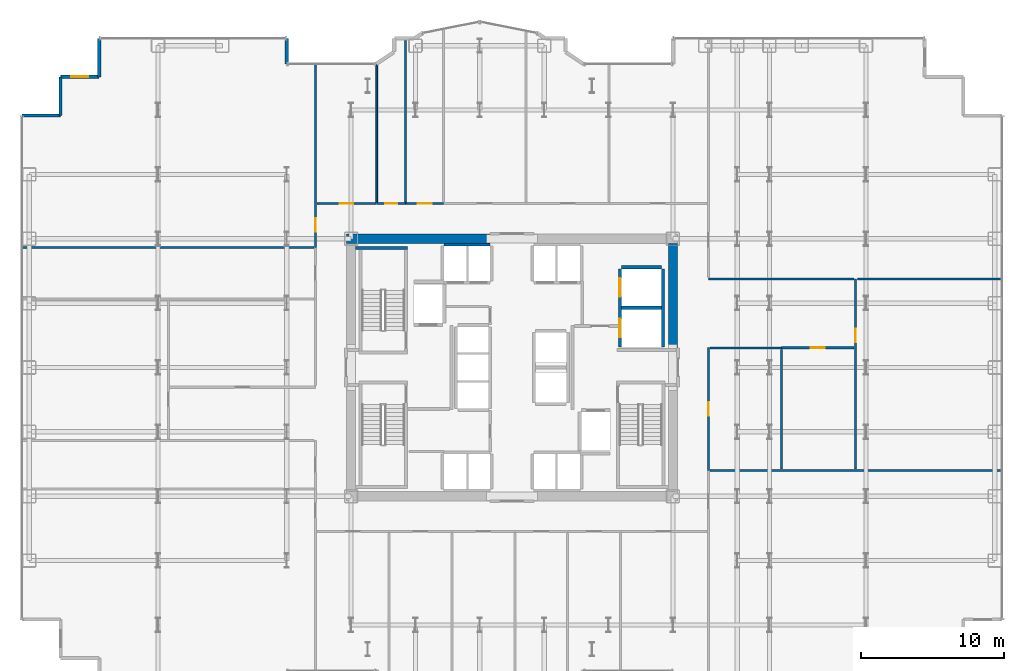
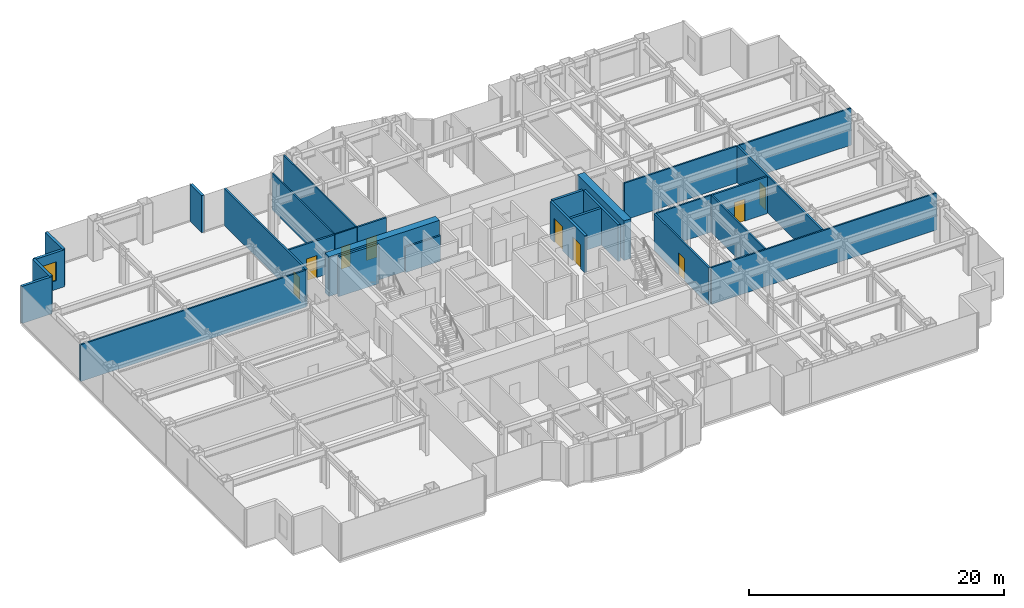
# One storey, part 23 of 25: 28 walls, 9 doors, 1 window, 10 openings.
"""IFC4 building model written with IfcOpenShell, lengths in metres."""

from ifc_helpers import new_model, si_unit, direction, frame, frame_2d, origin, place, context, subcontext, project, spatial, rectangle, extrude, source, transform, mapped, material, layer, layer_set, type_object, element, fill, save


model = new_model("IFC4")

# Units and contexts
model_context = context("Model", 3, precision=1e-05, world=origin(), true_north=direction((0.0, 1.0)))
body_context = subcontext(model_context, "Body", "Model", "MODEL_VIEW")
ifc_project = project(units=[si_unit("LENGTHUNIT", "METRE"), si_unit("AREAUNIT", "SQUARE_METRE"), si_unit("VOLUMEUNIT", "CUBIC_METRE"), si_unit("PLANEANGLEUNIT", "RADIAN"), si_unit("MASSUNIT", "GRAM", prefix="KILO")], contexts=[model_context])

# Site, building, storey
site_placement = place(None, origin())
site = spatial("IfcSite", under=ifc_project, at=site_placement, CompositionType="ELEMENT")
building_placement = place(site_placement, origin())
building = spatial("IfcBuilding", under=site, at=building_placement, Name="Nefas-Gora Pilgrimage Tower", CompositionType="ELEMENT")
storey_placement = place(building_placement, frame((0.0, 0.0, 52.0)))
storey = spatial("IfcBuildingStorey", under=building, at=storey_placement, Name="L11", CompositionType="ELEMENT", Elevation=52.0)

# Walls
ifc_material_1 = material(Name="Concrete C60/75", Category="concrete")
ifc_layer_1 = layer(ifc_material_1, 0.64990234375)
ifc_layer_set_1 = layer_set([ifc_layer_1], Name="Concrete C60/75")
wall_type_1 = type_object("IfcWallType", Name="SW-CORE-650", PredefinedType="SHEAR", material=ifc_layer_set_1)
shared_shape_1 = source(origin(), body_context, "Body", "SweptSolid", [
    extrude(rectangle(XDim=10.02490234375, YDim=0.64990234375, at=frame_2d((5.012451171875, 0.0))), origin(), (0.0, 0.0, 1.0), 3.800048828125),
])
wall_1_placement = place(storey_placement, frame((-11.574951171875, 9.0, 0.0), z_axis=(0.0, 0.0, 1.0), x_axis=(1.0, 0.0, 0.0)))
element("IfcWall", 1, at=wall_1_placement, inside=storey, type_object=wall_type_1, Name="L11 Core Shear Wall N-West", PredefinedType="SHEAR", context=body_context, shape_type="MappedRepresentation", body=[
    mapped(shared_shape_1, transform((0.0, 0.0, 0.0), x_axis=(1.0, 0.0, 0.0), y_axis=(0.0, 1.0, 0.0), z_axis=(0.0, 0.0, 1.0), scale=1.0)),
])
shared_shape_2 = source(origin(), body_context, "Body", "SweptSolid", [
    extrude(rectangle(XDim=7.324951171875, YDim=0.64990234375, at=frame_2d((3.66259765625, 0.0))), origin(), (0.0, 0.0, 1.0), 3.800048828125),
])
wall_2_placement = place(storey_placement, frame((11.25, 1.35009765625, 0.0), z_axis=(0.0, 0.0, 1.0), x_axis=(0.0, 1.0, 0.0)))
element("IfcWall", 2, at=wall_2_placement, inside=storey, type_object=wall_type_1, Name="L11 Core Shear Wall E-North", PredefinedType="SHEAR", context=body_context, shape_type="MappedRepresentation", body=[
    mapped(shared_shape_2, transform((0.0, 0.0, 0.0), x_axis=(1.0, 0.0, 0.0), y_axis=(0.0, 1.0, 0.0), z_axis=(0.0, 0.0, 1.0), scale=1.0)),
])
ifc_material_2 = material(Name="Precast concrete C40/50", Category="concrete")
ifc_layer_2 = layer(ifc_material_2, 0.260009765625)
ifc_layer_set_2 = layer_set([ifc_layer_2], Name="Precast concrete C40/50")
wall_type_2 = type_object("IfcWallType", Name="EW-PORTAL-260", PredefinedType="SOLIDWALL", material=ifc_layer_set_2)
shared_shape_3 = source(origin(), body_context, "Body", "SweptSolid", [
    extrude(rectangle(XDim=1.800048828125, YDim=0.260009765625, at=frame_2d((0.89990234375, 0.0))), origin(), (0.0, 0.0, 1.0), 3.550048828125),
])
wall_3_placement = place(storey_placement, frame((-15.75, 21.219970703125, 0.0), z_axis=(0.0, 0.0, 1.0), x_axis=(0.0, 1.0, 0.0)))
element("IfcWall", 3, at=wall_3_placement, inside=storey, type_object=wall_type_2, Name="L11 Lobe Shoulder Precast Spandrel Pier 19", PredefinedType="SOLIDWALL", context=body_context, shape_type="MappedRepresentation", body=[
    mapped(shared_shape_3, transform((0.0, 0.0, 0.0), x_axis=(1.0, 0.0, 0.0), y_axis=(0.0, 1.0, 0.0), z_axis=(0.0, 0.0, 1.0), scale=1.0)),
])
ifc_material_3 = material(Name="Precast concrete C45/55", Category="concrete")
ifc_layer_3 = layer(ifc_material_3, 0.239990234375)
ifc_layer_set_3 = layer_set([ifc_layer_3], Name="Precast concrete C45/55")
wall_type_3 = type_object("IfcWallType", Name="EW-SERR-240", PredefinedType="SHEAR", material=ifc_layer_set_3)
shared_shape_4 = source(origin(), body_context, "Body", "SweptSolid", [
    extrude(rectangle(XDim=2.699951171875, YDim=0.239990234375, at=frame_2d((1.35009765625, 0.0))), origin(), (0.0, 0.0, 1.0), 3.550048828125),
])
wall_4_placement = place(storey_placement, frame((-28.8701171875, 23.02001953125, 0.0), z_axis=(0.0, 0.0, 1.0), x_axis=(0.0, -1.0, 0.0)))
element("IfcWall", 4, at=wall_4_placement, inside=storey, type_object=wall_type_3, Name="L11 Serrated Corner Shear Pier Wall 20", PredefinedType="SHEAR", context=body_context, shape_type="MappedRepresentation", body=[
    mapped(shared_shape_4, transform((0.0, 0.0, 0.0), x_axis=(1.0, 0.0, 0.0), y_axis=(0.0, 1.0, 0.0), z_axis=(0.0, 0.0, 1.0), scale=1.0)),
])

# Wall, opening, window
wall_5_placement = place(storey_placement, frame((-28.8701171875, 20.320068359375, 0.0), z_axis=(0.0, 0.0, 1.0), x_axis=(-1.0, 0.0, 0.0)))
wall_5 = element("IfcWall", 5, at=wall_5_placement, inside=storey, type_object=wall_type_3, Name="L11 Serrated Corner Shear Pier Wall 21", PredefinedType="SHEAR", context=body_context, shape_type="MappedRepresentation", body=[
    mapped(shared_shape_4, transform((0.0, 0.0, 0.0), x_axis=(1.0, 0.0, 0.0), y_axis=(0.0, 1.0, 0.0), z_axis=(0.0, 0.0, 1.0), scale=1.0)),
])
opening_1_placement = place(wall_5_placement, frame((0.75, 0.0, 0.85009765625)))
opening_1 = element("IfcOpeningElement", 6, at=opening_1_placement, cuts=wall_5, Name="Opening W-V1", PredefinedType="OPENING", context=body_context, shape_type="SweptSolid", body=[
    extrude(rectangle(XDim=1.199951171875, YDim=1.800048828125, at=frame_2d((0.60009765625, 0.89990234375))), frame((0.0, 0.1298828125, 0.0), z_axis=(0.0, -1.0, 0.0), x_axis=(1.0, 0.0, 0.0)), (0.0, 0.0, 1.0), 0.260009765625),
])
ifc_material_4 = material(Name="Dark ceramic-fritted operable aluminium-glass window", Category="aluminium")
window_type = type_object("IfcWindowType", Name="WIN-VENT-1200x1800", PartitioningType="SINGLE_PANEL", PredefinedType="WINDOW", material=ifc_material_4)
shared_shape_5 = source(origin(), body_context, "Body", "SweptSolid", [
    extrude(rectangle(XDim=1.199951171875, YDim=1.800048828125, at=frame_2d((0.60009765625, 0.89990234375))), frame((0.0, 0.030029296875, 0.0), z_axis=(0.0, -1.0, 0.0), x_axis=(1.0, 0.0, 0.0)), (0.0, 0.0, 1.0), 0.06005859375),
])
window_placement = place(opening_1_placement, origin())
window = element("IfcWindow", 7, at=window_placement, inside=storey, type_object=window_type, Name="L11 Operable Parallel-Outswing Window 21", OverallHeight=1.800048828125, OverallWidth=1.199951171875, PartitioningType="SINGLE_PANEL", PredefinedType="WINDOW", context=body_context, shape_type="MappedRepresentation", body=[
    mapped(shared_shape_5, transform((0.0, 0.0, 0.0), x_axis=(1.0, 0.0, 0.0), y_axis=(0.0, 1.0, 0.0), z_axis=(0.0, 0.0, 1.0), scale=1.0)),
])
fill(opening_1, window)

# Walls
for number, where, z_axis, x_axis, name in (
    (8, (-31.570068359375, 20.320068359375, 0.0), (0.0, 0.0, 1.0), (0.0, -1.0, 0.0), "L11 Serrated Corner Shear Pier Wall 22"),
    (9, (-31.570068359375, 17.6201171875, 0.0), (0.0, 0.0, 1.0), (-1.0, 0.0, 0.0), "L11 Serrated Corner Shear Pier Wall 23"),
):
    element("IfcWall", number, at=place(storey_placement, frame(where, z_axis=z_axis, x_axis=x_axis)), inside=storey, type_object=wall_type_3, Name=name, PredefinedType="SHEAR", context=body_context, shape_type="MappedRepresentation", body=[
        mapped(shared_shape_4, transform((0.0, 0.0, 0.0), x_axis=(1.0, 0.0, 0.0), y_axis=(0.0, 1.0, 0.0), z_axis=(0.0, 0.0, 1.0), scale=1.0)),
    ])
ifc_material_5 = material(Name="Concrete C45/55", Category="concrete")
ifc_layer_4 = layer(ifc_material_5, 0.199951171875)
ifc_layer_set_4 = layer_set([ifc_layer_4], Name="Concrete C45/55")
wall_type_4 = type_object("IfcWallType", Name="IW-STAIR-200", PredefinedType="SOLIDWALL", material=ifc_layer_set_4)
shared_shape_6 = source(origin(), body_context, "Body", "SweptSolid", [
    extrude(rectangle(XDim=3.6298828125, YDim=0.199951171875, at=frame_2d((1.81494140625, 0.0))), origin(), (0.0, 0.0, 1.0), 3.800048828125),
])
wall_6_placement = place(storey_placement, frame((-7.300048828125, 8.35009765625, 0.0), z_axis=(0.0, 0.0, 1.0), x_axis=(-1.0, 0.0, 0.0)))
element("IfcWall", 10, at=wall_6_placement, inside=storey, type_object=wall_type_4, Name="L11 Stairwell Shear Wall ST-01-far", PredefinedType="SOLIDWALL", context=body_context, shape_type="MappedRepresentation", body=[
    mapped(shared_shape_6, transform((0.0, 0.0, 0.0), x_axis=(1.0, 0.0, 0.0), y_axis=(0.0, 1.0, 0.0), z_axis=(0.0, 0.0, 1.0), scale=1.0)),
])

# Wall, openings, doors
ifc_material_6 = material(Name="Concrete C40/50", Category="concrete")
ifc_layer_5 = layer(ifc_material_6, 0.219970703125)
ifc_layer_set_5 = layer_set([ifc_layer_5], Name="Concrete C40/50")
wall_type_5 = type_object("IfcWallType", Name="IW-SHAFT-220", PredefinedType="SOLIDWALL", material=ifc_layer_set_5)
shared_shape_7 = source(origin(), body_context, "Body", "SweptSolid", [
    extrude(rectangle(XDim=5.449951171875, YDim=0.219970703125, at=frame_2d((2.72509765625, 0.0))), origin(), (0.0, 0.0, 1.0), 3.534912109375),
])
wall_7_placement = place(storey_placement, frame((7.5400390625, 6.89990234375, 0.0), z_axis=(0.0, 0.0, 1.0), x_axis=(0.0, -1.0, 0.0)))
wall_7 = element("IfcWall", 11, at=wall_7_placement, inside=storey, type_object=wall_type_5, Name="L11 Hoistway Wall SL-01-02-W", PredefinedType="SOLIDWALL", context=body_context, shape_type="MappedRepresentation", body=[
    mapped(shared_shape_7, transform((0.0, 0.0, 0.0), x_axis=(1.0, 0.0, 0.0), y_axis=(0.0, 1.0, 0.0), z_axis=(0.0, 0.0, 1.0), scale=1.0)),
])
opening_2_placement = place(wall_7_placement, frame((3.5, 0.0, 0.0)))
opening_2 = element("IfcOpeningElement", 12, at=opening_2_placement, cuts=wall_7, Name="Opening LD-SV", PredefinedType="OPENING", context=body_context, shape_type="SweptSolid", body=[
    extrude(rectangle(XDim=1.300048828125, YDim=2.300048828125, at=frame_2d((0.64990234375, 1.14990234375))), frame((0.0, 0.119873046875, 0.0), z_axis=(0.0, -1.0, 0.0), x_axis=(1.0, 0.0, 0.0)), (0.0, 0.0, 1.0), 0.239990234375),
])
opening_3_placement = place(wall_7_placement, frame((0.64990234375, 0.0, 0.0)))
opening_3 = element("IfcOpeningElement", 13, at=opening_3_placement, cuts=wall_7, Name="Opening LD-SV", PredefinedType="OPENING", context=body_context, shape_type="SweptSolid", body=[
    extrude(rectangle(XDim=1.300048828125, YDim=2.300048828125, at=frame_2d((0.64990234375, 1.14990234375))), frame((0.0, 0.119873046875, 0.0), z_axis=(0.0, -1.0, 0.0), x_axis=(1.0, 0.0, 0.0)), (0.0, 0.0, 1.0), 0.239990234375),
])
ifc_material_7 = material(Name="Heavy goods sliding lift landing door")
door_type_1 = type_object("IfcDoorType", Name="DR-LIFT-SERV-1300", OperationType="SLIDING_TO_RIGHT", PredefinedType="DOOR", material=ifc_material_7)
shared_shape_8 = source(origin(), body_context, "Body", "SweptSolid", [
    extrude(rectangle(XDim=1.300048828125, YDim=2.300048828125, at=frame_2d((0.64990234375, 1.14990234375))), frame((0.0, 0.02490234375, 0.0), z_axis=(0.0, -1.0, 0.0), x_axis=(1.0, 0.0, 0.0)), (0.0, 0.0, 1.0), 0.050048828125),
])
door_1_placement = place(opening_2_placement, origin())
door_1 = element("IfcDoor", 14, at=door_1_placement, inside=storey, type_object=door_type_1, Name="L11 Sliding Lift Landing Door SL-01", OperationType="SLIDING_TO_RIGHT", OverallHeight=2.300048828125, OverallWidth=1.300048828125, PredefinedType="DOOR", context=body_context, shape_type="MappedRepresentation", body=[
    mapped(shared_shape_8, transform((0.0, 0.0, 0.0), x_axis=(1.0, 0.0, 0.0), y_axis=(0.0, 1.0, 0.0), z_axis=(0.0, 0.0, 1.0), scale=1.0)),
])
fill(opening_2, door_1)
door_2_placement = place(opening_3_placement, origin())
door_2 = element("IfcDoor", 15, at=door_2_placement, inside=storey, type_object=door_type_1, Name="L11 Sliding Lift Landing Door SL-02", OperationType="SLIDING_TO_RIGHT", OverallHeight=2.300048828125, OverallWidth=1.300048828125, PredefinedType="DOOR", context=body_context, shape_type="MappedRepresentation", body=[
    mapped(shared_shape_8, transform((0.0, 0.0, 0.0), x_axis=(1.0, 0.0, 0.0), y_axis=(0.0, 1.0, 0.0), z_axis=(0.0, 0.0, 1.0), scale=1.0)),
])
fill(opening_3, door_2)

# Walls
wall_8_placement = place(storey_placement, frame((10.56005859375, 1.449951171875, 0.0), z_axis=(0.0, 0.0, 1.0), x_axis=(0.0, 1.0, 0.0)))
element("IfcWall", 16, at=wall_8_placement, inside=storey, type_object=wall_type_5, Name="L11 Hoistway Wall SL-01-02-E", PredefinedType="SOLIDWALL", context=body_context, shape_type="MappedRepresentation", body=[
    mapped(shared_shape_7, transform((0.0, 0.0, 0.0), x_axis=(1.0, 0.0, 0.0), y_axis=(0.0, 1.0, 0.0), z_axis=(0.0, 0.0, 1.0), scale=1.0)),
])
shared_shape_9 = source(origin(), body_context, "Body", "SweptSolid", [
    extrude(rectangle(XDim=2.780029296875, YDim=0.219970703125, at=frame_2d((1.39013671875, 0.0))), origin(), (0.0, 0.0, 1.0), 3.534912109375),
])
for number, where, z_axis, x_axis, name in (
    (17, (7.659912109375, 4.175048828125, 0.0), (0.0, 0.0, 1.0), (1.0, 0.0, 0.0), "L11 Hoistway Wall SL-01-02-DIV"),
    (18, (10.43994140625, 7.010009765625, 0.0), (0.0, 0.0, 1.0), (-1.0, 0.0, 0.0), "L11 Hoistway Wall SL-02-N"),
):
    element("IfcWall", number, at=place(storey_placement, frame(where, z_axis=z_axis, x_axis=x_axis)), inside=storey, type_object=wall_type_5, Name=name, PredefinedType="SOLIDWALL", context=body_context, shape_type="MappedRepresentation", body=[
        mapped(shared_shape_9, transform((0.0, 0.0, 0.0), x_axis=(1.0, 0.0, 0.0), y_axis=(0.0, 1.0, 0.0), z_axis=(0.0, 0.0, 1.0), scale=1.0)),
    ])
ifc_material_8 = material(Name="Gypsum acoustic stud partition")
ifc_layer_6 = layer(ifc_material_8, 0.159912109375)
ifc_layer_set_6 = layer_set([ifc_layer_6], Name="Gypsum acoustic stud partition")
wall_type_6 = type_object("IfcWallType", Name="IW-CORR-160", PredefinedType="PARTITIONING", material=ifc_layer_set_6)
shared_shape_10 = source(origin(), body_context, "Body", "SweptSolid", [
    extrude(rectangle(XDim=3.199951171875, YDim=0.159912109375, at=frame_2d((1.60009765625, 0.0))), origin(), (0.0, 0.0, 1.0), 2.425048828125),
])
wall_9_placement = place(storey_placement, frame((-1.550048828125, 8.580078125, 0.0), z_axis=(0.0, 0.0, 1.0), x_axis=(-1.0, 0.0, 0.0)))
element("IfcWall", 19, at=wall_9_placement, inside=storey, type_object=wall_type_6, Name="L11 Hoistway Wall PL1-W-N", PredefinedType="PARTITIONING", context=body_context, shape_type="MappedRepresentation", body=[
    mapped(shared_shape_10, transform((0.0, 0.0, 0.0), x_axis=(1.0, 0.0, 0.0), y_axis=(0.0, 1.0, 0.0), z_axis=(0.0, 0.0, 1.0), scale=1.0)),
])

# Wall, opening, door
ifc_material_9 = material(Name="Moisture-resistant fire-rated gypsum partition")
ifc_layer_7 = layer(ifc_material_9, 0.1201171875)
ifc_layer_set_7 = layer_set([ifc_layer_7], Name="Moisture-resistant fire-rated gypsum partition")
wall_type_7 = type_object("IfcWallType", Name="IW-WET-120", PredefinedType="PLUMBINGWALL", material=ifc_layer_set_7)
shared_shape_11 = source(origin(), body_context, "Body", "SweptSolid", [
    extrude(rectangle(XDim=2.02001953125, YDim=0.1201171875, at=frame_2d((1.010009765625, 0.0))), origin(), (0.0, 0.0, 1.0), 3.534912109375),
])
wall_10_placement = place(storey_placement, frame((-9.4599609375, 11.469970703125, 0.0), z_axis=(0.0, 0.0, 1.0), x_axis=(1.0, 0.0, 0.0)))
wall_10 = element("IfcWall", 20, at=wall_10_placement, inside=storey, type_object=wall_type_7, Name="L11 Accessible Unisex WC Partition Wall 20", PredefinedType="PLUMBINGWALL", context=body_context, shape_type="MappedRepresentation", body=[
    mapped(shared_shape_11, transform((0.0, 0.0, 0.0), x_axis=(1.0, 0.0, 0.0), y_axis=(0.0, 1.0, 0.0), z_axis=(0.0, 0.0, 1.0), scale=1.0)),
])
opening_4_placement = place(wall_10_placement, frame((0.5849609375, 0.0, 0.0)))
opening_4 = element("IfcOpeningElement", 21, at=opening_4_placement, cuts=wall_10, Name="Opening ID-BT1", PredefinedType="OPENING", context=body_context, shape_type="SweptSolid", body=[
    extrude(rectangle(XDim=0.85009765625, YDim=2.10009765625, at=frame_2d((0.425048828125, 1.050048828125))), frame((0.0, 0.070068359375, 0.0), z_axis=(0.0, -1.0, 0.0), x_axis=(1.0, 0.0, 0.0)), (0.0, 0.0, 1.0), 0.14013671875),
])
ifc_material_10 = material(Name="Moisture-resistant fire-rated timber door", Category="wood")
door_type_2 = type_object("IfcDoorType", Name="DR-INT-BATH-850", OperationType="NOTDEFINED", PredefinedType="DOOR", material=ifc_material_10)
shared_shape_12 = source(origin(), body_context, "Body", "SweptSolid", [
    extrude(rectangle(XDim=0.85009765625, YDim=2.10009765625, at=frame_2d((0.425048828125, 1.050048828125))), frame((0.0, 0.02490234375, 0.0), z_axis=(0.0, -1.0, 0.0), x_axis=(1.0, 0.0, 0.0)), (0.0, 0.0, 1.0), 0.050048828125),
])
door_3_placement = place(opening_4_placement, origin())
door_3 = element("IfcDoor", 22, at=door_3_placement, inside=storey, type_object=door_type_2, Name="L11 Accessible Unisex WC Door 8", OperationType="SINGLE_SWING_LEFT", OverallHeight=2.10009765625, OverallWidth=0.85009765625, PredefinedType="DOOR", context=body_context, shape_type="MappedRepresentation", body=[
    mapped(shared_shape_12, transform((0.0, 0.0, 0.0), x_axis=(1.0, 0.0, 0.0), y_axis=(0.0, 1.0, 0.0), z_axis=(0.0, 0.0, 1.0), scale=1.0)),
])
fill(opening_4, door_3)

# Walls
shared_shape_13 = source(origin(), body_context, "Body", "SweptSolid", [
    extrude(rectangle(XDim=11.280029296875, YDim=0.1201171875, at=frame_2d((5.64013671875, 0.0))), origin(), (0.0, 0.0, 1.0), 3.534912109375),
])
wall_11_placement = place(storey_placement, frame((-7.449951171875, 11.570068359375, 0.0), z_axis=(0.0, 0.0, 1.0), x_axis=(0.0, 1.0, 0.0)))
element("IfcWall", 23, at=wall_11_placement, inside=storey, type_object=wall_type_7, Name="L11 Accessible Unisex WC Partition Wall 21", PredefinedType="PLUMBINGWALL", context=body_context, shape_type="MappedRepresentation", body=[
    mapped(shared_shape_13, transform((0.0, 0.0, 0.0), x_axis=(1.0, 0.0, 0.0), y_axis=(0.0, 1.0, 0.0), z_axis=(0.0, 0.0, 1.0), scale=1.0)),
])
shared_shape_14 = source(origin(), body_context, "Body", "SweptSolid", [
    extrude(rectangle(XDim=9.586669921875, YDim=0.1201171875, at=frame_2d((4.79345703125, 0.0))), origin(), (0.0, 0.0, 1.0), 3.534912109375),
])
wall_12_placement = place(storey_placement, frame((-9.449951171875, 11.570068359375, 0.0), z_axis=(0.0, 0.0, 1.0), x_axis=(0.0, 1.0, 0.0)))
element("IfcWall", 24, at=wall_12_placement, inside=storey, type_object=wall_type_7, Name="L11 Accessible Unisex WC Partition Wall 22", PredefinedType="PLUMBINGWALL", context=body_context, shape_type="MappedRepresentation", body=[
    mapped(shared_shape_14, transform((0.0, 0.0, 0.0), x_axis=(1.0, 0.0, 0.0), y_axis=(0.0, 1.0, 0.0), z_axis=(0.0, 0.0, 1.0), scale=1.0)),
])

# Wall, opening, door
shared_shape_15 = source(origin(), body_context, "Body", "SweptSolid", [
    extrude(rectangle(XDim=4.125, YDim=0.159912109375, at=frame_2d((2.0625, 0.0))), origin(), (0.0, 0.0, 1.0), 3.534912109375),
])
wall_13_placement = place(storey_placement, frame((-13.6201171875, 11.469970703125, 0.0), z_axis=(0.0, 0.0, 1.0), x_axis=(1.0, 0.0, 0.0)))
wall_13 = element("IfcWall", 25, at=wall_13_placement, inside=storey, type_object=wall_type_6, Name="L11 Pilgrim Contemplative Lounge Partition Wall 44", PredefinedType="PARTITIONING", context=body_context, shape_type="MappedRepresentation", body=[
    mapped(shared_shape_15, transform((0.0, 0.0, 0.0), x_axis=(1.0, 0.0, 0.0), y_axis=(0.0, 1.0, 0.0), z_axis=(0.0, 0.0, 1.0), scale=1.0)),
])
opening_5_placement = place(wall_13_placement, frame((1.58740234375, 0.0, 0.0)))
opening_5 = element("IfcOpeningElement", 26, at=opening_5_placement, cuts=wall_13, Name="Opening ID-GR1", PredefinedType="OPENING", context=body_context, shape_type="SweptSolid", body=[
    extrude(rectangle(XDim=0.949951171875, YDim=2.10009765625, at=frame_2d((0.47509765625, 1.050048828125))), frame((0.0, 0.08984375, 0.0), z_axis=(0.0, -1.0, 0.0), x_axis=(1.0, 0.0, 0.0)), (0.0, 0.0, 1.0), 0.179931640625),
])
ifc_material_11 = material(Name="Solid core oak fire-rated guest entrance door")
door_type_3 = type_object("IfcDoorType", Name="DR-INT-GUEST-950", OperationType="NOTDEFINED", PredefinedType="DOOR", material=ifc_material_11)
shared_shape_16 = source(origin(), body_context, "Body", "SweptSolid", [
    extrude(rectangle(XDim=0.949951171875, YDim=2.10009765625, at=frame_2d((0.47509765625, 1.050048828125))), frame((0.0, 0.02490234375, 0.0), z_axis=(0.0, -1.0, 0.0), x_axis=(1.0, 0.0, 0.0)), (0.0, 0.0, 1.0), 0.050048828125),
])
door_4_placement = place(opening_5_placement, origin())
door_4 = element("IfcDoor", 27, at=door_4_placement, inside=storey, type_object=door_type_3, Name="L11 Pilgrim Contemplative Lounge Door 20", OperationType="SINGLE_SWING_LEFT", OverallHeight=2.10009765625, OverallWidth=0.949951171875, PredefinedType="DOOR", context=body_context, shape_type="MappedRepresentation", body=[
    mapped(shared_shape_16, transform((0.0, 0.0, 0.0), x_axis=(1.0, 0.0, 0.0), y_axis=(0.0, 1.0, 0.0), z_axis=(0.0, 0.0, 1.0), scale=1.0)),
])
fill(opening_5, door_4)

# Walls
ifc_material_12 = material(Name="Gypsum twin-stud partition")
ifc_layer_8 = layer(ifc_material_12, 0.139892578125)
ifc_layer_set_8 = layer_set([ifc_layer_8], Name="Gypsum twin-stud partition")
wall_type_8 = type_object("IfcWallType", Name="IW-UNIT-140", PredefinedType="PARTITIONING", material=ifc_layer_set_8)
shared_shape_17 = source(origin(), body_context, "Body", "SweptSolid", [
    extrude(rectangle(XDim=20.429931640625, YDim=0.139892578125, at=frame_2d((10.21484375, 0.0))), origin(), (0.0, 0.0, 1.0), 3.534912109375),
])
for number, where, z_axis, x_axis, name in (
    (28, (-34.2900390625, 8.39501953125, 0.0), (0.0, 0.0, 1.0), (1.0, 0.0, 0.0), "L11 Pilgrim Fellowship Seminar Room Partition Wall 32"),
    (29, (13.860107421875, -7.205078125, 0.0), (0.0, 0.0, 1.0), (1.0, 0.0, 0.0), "L11 Pilgrim Contemplative Lounge Partition Wall 35"),
):
    element("IfcWall", number, at=place(storey_placement, frame(where, z_axis=z_axis, x_axis=x_axis)), inside=storey, type_object=wall_type_8, Name=name, PredefinedType="PARTITIONING", context=body_context, shape_type="MappedRepresentation", body=[
        mapped(shared_shape_17, transform((0.0, 0.0, 0.0), x_axis=(1.0, 0.0, 0.0), y_axis=(0.0, 1.0, 0.0), z_axis=(0.0, 0.0, 1.0), scale=1.0)),
    ])

# Wall, opening, door
shared_shape_18 = source(origin(), body_context, "Body", "SweptSolid", [
    extrude(rectangle(XDim=12.844970703125, YDim=0.159912109375, at=frame_2d((6.42236328125, 0.0))), origin(), (0.0, 0.0, 1.0), 3.534912109375),
])
wall_14_placement = place(storey_placement, frame((-13.739990234375, 8.39501953125, 0.0), z_axis=(0.0, 0.0, 1.0), x_axis=(0.0, 1.0, 0.0)))
wall_14 = element("IfcWall", 30, at=wall_14_placement, inside=storey, type_object=wall_type_6, Name="L11 Pilgrim Refectory Lounge Partition Wall 33", PredefinedType="PARTITIONING", context=body_context, shape_type="MappedRepresentation", body=[
    mapped(shared_shape_18, transform((0.0, 0.0, 0.0), x_axis=(1.0, 0.0, 0.0), y_axis=(0.0, 1.0, 0.0), z_axis=(0.0, 0.0, 1.0), scale=1.0)),
])
opening_6_placement = place(wall_14_placement, frame((1.08251953125, 0.0, 0.0)))
opening_6 = element("IfcOpeningElement", 31, at=opening_6_placement, cuts=wall_14, Name="Opening ID-GR1", PredefinedType="OPENING", context=body_context, shape_type="SweptSolid", body=[
    extrude(rectangle(XDim=0.949951171875, YDim=2.10009765625, at=frame_2d((0.47509765625, 1.050048828125))), frame((0.0, 0.08984375, 0.0), z_axis=(0.0, -1.0, 0.0), x_axis=(1.0, 0.0, 0.0)), (0.0, 0.0, 1.0), 0.179931640625),
])
door_5_placement = place(opening_6_placement, origin())
door_5 = element("IfcDoor", 32, at=door_5_placement, inside=storey, type_object=door_type_3, Name="L11 Pilgrim Refectory Lounge Door 14", OperationType="SINGLE_SWING_LEFT", OverallHeight=2.10009765625, OverallWidth=0.949951171875, PredefinedType="DOOR", context=body_context, shape_type="MappedRepresentation", body=[
    mapped(shared_shape_16, transform((0.0, 0.0, 0.0), x_axis=(1.0, 0.0, 0.0), y_axis=(0.0, 1.0, 0.0), z_axis=(0.0, 0.0, 1.0), scale=1.0)),
])
fill(opening_6, door_5)

shared_shape_19 = source(origin(), body_context, "Body", "SweptSolid", [
    extrude(rectangle(XDim=13.300048828125, YDim=0.159912109375, at=frame_2d((6.64990234375, 0.0))), origin(), (0.0, 0.0, 1.0), 3.534912109375),
])
wall_15_placement = place(storey_placement, frame((24.02001953125, -7.094970703125, 0.0), z_axis=(0.0, 0.0, 1.0), x_axis=(0.0, 1.0, 0.0)))
wall_15 = element("IfcWall", 33, at=wall_15_placement, inside=storey, type_object=wall_type_6, Name="L11 Pilgrim Contemplative Lounge Partition Wall 36", PredefinedType="PARTITIONING", context=body_context, shape_type="MappedRepresentation", body=[
    mapped(shared_shape_19, transform((0.0, 0.0, 0.0), x_axis=(1.0, 0.0, 0.0), y_axis=(0.0, 1.0, 0.0), z_axis=(0.0, 0.0, 1.0), scale=1.0)),
])
opening_7_placement = place(wall_15_placement, frame((8.8701171875, 0.0, 0.0)))
opening_7 = element("IfcOpeningElement", 34, at=opening_7_placement, cuts=wall_15, Name="Opening ID-GR1", PredefinedType="OPENING", context=body_context, shape_type="SweptSolid", body=[
    extrude(rectangle(XDim=0.949951171875, YDim=2.10009765625, at=frame_2d((0.47509765625, 1.050048828125))), frame((0.0, 0.08984375, 0.0), z_axis=(0.0, -1.0, 0.0), x_axis=(1.0, 0.0, 0.0)), (0.0, 0.0, 1.0), 0.179931640625),
])
door_6_placement = place(opening_7_placement, origin())
door_6 = element("IfcDoor", 35, at=door_6_placement, inside=storey, type_object=door_type_3, Name="L11 Pilgrim Contemplative Lounge Door 16", OperationType="SINGLE_SWING_LEFT", OverallHeight=2.10009765625, OverallWidth=0.949951171875, PredefinedType="DOOR", context=body_context, shape_type="MappedRepresentation", body=[
    mapped(shared_shape_16, transform((0.0, 0.0, 0.0), x_axis=(1.0, 0.0, 0.0), y_axis=(0.0, 1.0, 0.0), z_axis=(0.0, 0.0, 1.0), scale=1.0)),
])
fill(opening_7, door_6)

# Walls
shared_shape_20 = source(origin(), body_context, "Body", "SweptSolid", [
    extrude(rectangle(XDim=10.169921875, YDim=0.139892578125, at=frame_2d((5.0849609375, 0.0))), origin(), (0.0, 0.0, 1.0), 3.534912109375),
])
wall_16_placement = place(storey_placement, frame((13.72998046875, 6.195068359375, 0.0), z_axis=(0.0, 0.0, 1.0), x_axis=(1.0, 0.0, 0.0)))
element("IfcWall", 36, at=wall_16_placement, inside=storey, type_object=wall_type_8, Name="L11 Pilgrim Contemplative Lounge Partition Wall 37", PredefinedType="PARTITIONING", context=body_context, shape_type="MappedRepresentation", body=[
    mapped(shared_shape_20, transform((0.0, 0.0, 0.0), x_axis=(1.0, 0.0, 0.0), y_axis=(0.0, 1.0, 0.0), z_axis=(0.0, 0.0, 1.0), scale=1.0)),
])
shared_shape_21 = source(origin(), body_context, "Body", "SweptSolid", [
    extrude(rectangle(XDim=10.150146484375, YDim=0.139892578125, at=frame_2d((5.0751953125, 0.0))), origin(), (0.0, 0.0, 1.0), 3.534912109375),
])
wall_17_placement = place(storey_placement, frame((24.139892578125, 6.195068359375, 0.0), z_axis=(0.0, 0.0, 1.0), x_axis=(1.0, 0.0, 0.0)))
element("IfcWall", 37, at=wall_17_placement, inside=storey, type_object=wall_type_8, Name="L11 Pilgrim Contemplative Lounge Partition Wall 38", PredefinedType="PARTITIONING", context=body_context, shape_type="MappedRepresentation", body=[
    mapped(shared_shape_21, transform((0.0, 0.0, 0.0), x_axis=(1.0, 0.0, 0.0), y_axis=(0.0, 1.0, 0.0), z_axis=(0.0, 0.0, 1.0), scale=1.0)),
])

# Wall, opening, door
shared_shape_22 = source(origin(), body_context, "Body", "SweptSolid", [
    extrude(rectangle(XDim=8.594970703125, YDim=0.159912109375, at=frame_2d((4.29736328125, 0.0))), origin(), (0.0, 0.0, 1.0), 3.534912109375),
])
wall_18_placement = place(storey_placement, frame((13.739990234375, -7.205078125, 0.0), z_axis=(0.0, 0.0, 1.0), x_axis=(0.0, 1.0, 0.0)))
wall_18 = element("IfcWall", 38, at=wall_18_placement, inside=storey, type_object=wall_type_6, Name="L11 Pilgrim Contemplative Lounge Partition Wall 39", PredefinedType="PARTITIONING", context=body_context, shape_type="MappedRepresentation", body=[
    mapped(shared_shape_22, transform((0.0, 0.0, 0.0), x_axis=(1.0, 0.0, 0.0), y_axis=(0.0, 1.0, 0.0), z_axis=(0.0, 0.0, 1.0), scale=1.0)),
])
opening_8_placement = place(wall_18_placement, frame((3.822509765625, 0.0, 0.0)))
opening_8 = element("IfcOpeningElement", 39, at=opening_8_placement, cuts=wall_18, Name="Opening ID-GR1", PredefinedType="OPENING", context=body_context, shape_type="SweptSolid", body=[
    extrude(rectangle(XDim=0.949951171875, YDim=2.10009765625, at=frame_2d((0.47509765625, 1.050048828125))), frame((0.0, 0.08984375, 0.0), z_axis=(0.0, -1.0, 0.0), x_axis=(1.0, 0.0, 0.0)), (0.0, 0.0, 1.0), 0.179931640625),
])
door_7_placement = place(opening_8_placement, origin())
door_7 = element("IfcDoor", 40, at=door_7_placement, inside=storey, type_object=door_type_3, Name="L11 Pilgrim Contemplative Lounge Door 17", OperationType="SINGLE_SWING_RIGHT", OverallHeight=2.10009765625, OverallWidth=0.949951171875, PredefinedType="DOOR", context=body_context, shape_type="MappedRepresentation", body=[
    mapped(shared_shape_16, transform((0.0, 0.0, 0.0), x_axis=(1.0, 0.0, 0.0), y_axis=(0.0, 1.0, 0.0), z_axis=(0.0, 0.0, 1.0), scale=1.0)),
])
fill(opening_8, door_7)

# Walls
shared_shape_23 = source(origin(), body_context, "Body", "SweptSolid", [
    extrude(rectangle(XDim=4.994873046875, YDim=0.139892578125, at=frame_2d((2.49755859375, 0.0))), origin(), (0.0, 0.0, 1.0), 3.534912109375),
])
wall_19_placement = place(storey_placement, frame((13.860107421875, 1.3798828125, 0.0), z_axis=(0.0, 0.0, 1.0), x_axis=(1.0, 0.0, 0.0)))
element("IfcWall", 41, at=wall_19_placement, inside=storey, type_object=wall_type_8, Name="L11 Pilgrim Contemplative Lounge Partition Wall 40", PredefinedType="PARTITIONING", context=body_context, shape_type="MappedRepresentation", body=[
    mapped(shared_shape_23, transform((0.0, 0.0, 0.0), x_axis=(1.0, 0.0, 0.0), y_axis=(0.0, 1.0, 0.0), z_axis=(0.0, 0.0, 1.0), scale=1.0)),
])
shared_shape_24 = source(origin(), body_context, "Body", "SweptSolid", [
    extrude(rectangle(XDim=8.364990234375, YDim=0.139892578125, at=frame_2d((4.1826171875, 0.0))), origin(), (0.0, 0.0, 1.0), 3.534912109375),
])
wall_20_placement = place(storey_placement, frame((18.844970703125, -7.094970703125, 0.0), z_axis=(0.0, 0.0, 1.0), x_axis=(0.0, 1.0, 0.0)))
element("IfcWall", 42, at=wall_20_placement, inside=storey, type_object=wall_type_8, Name="L11 Pilgrim Contemplative Lounge Partition Wall 41", PredefinedType="PARTITIONING", context=body_context, shape_type="MappedRepresentation", body=[
    mapped(shared_shape_24, transform((0.0, 0.0, 0.0), x_axis=(1.0, 0.0, 0.0), y_axis=(0.0, 1.0, 0.0), z_axis=(0.0, 0.0, 1.0), scale=1.0)),
])

# Wall, opening, door
shared_shape_25 = source(origin(), body_context, "Body", "SweptSolid", [
    extrude(rectangle(XDim=5.044921875, YDim=0.159912109375, at=frame_2d((2.5224609375, 0.0))), origin(), (0.0, 0.0, 1.0), 3.534912109375),
])
wall_21_placement = place(storey_placement, frame((18.85498046875, 1.3798828125, 0.0), z_axis=(0.0, 0.0, 1.0), x_axis=(1.0, 0.0, 0.0)))
wall_21 = element("IfcWall", 43, at=wall_21_placement, inside=storey, type_object=wall_type_6, Name="L11 Pilgrim Contemplative Lounge Partition Wall 42", PredefinedType="PARTITIONING", context=body_context, shape_type="MappedRepresentation", body=[
    mapped(shared_shape_25, transform((0.0, 0.0, 0.0), x_axis=(1.0, 0.0, 0.0), y_axis=(0.0, 1.0, 0.0), z_axis=(0.0, 0.0, 1.0), scale=1.0)),
])
opening_9_placement = place(wall_21_placement, frame((2.047607421875, 0.0, 0.0)))
opening_9 = element("IfcOpeningElement", 44, at=opening_9_placement, cuts=wall_21, Name="Opening ID-GR1", PredefinedType="OPENING", context=body_context, shape_type="SweptSolid", body=[
    extrude(rectangle(XDim=0.949951171875, YDim=2.10009765625, at=frame_2d((0.47509765625, 1.050048828125))), frame((0.0, 0.08984375, 0.0), z_axis=(0.0, -1.0, 0.0), x_axis=(1.0, 0.0, 0.0)), (0.0, 0.0, 1.0), 0.179931640625),
])
door_8_placement = place(opening_9_placement, origin())
door_8 = element("IfcDoor", 45, at=door_8_placement, inside=storey, type_object=door_type_3, Name="L11 Pilgrim Contemplative Lounge Door 18", OperationType="SINGLE_SWING_LEFT", OverallHeight=2.10009765625, OverallWidth=0.949951171875, PredefinedType="DOOR", context=body_context, shape_type="MappedRepresentation", body=[
    mapped(shared_shape_16, transform((0.0, 0.0, 0.0), x_axis=(1.0, 0.0, 0.0), y_axis=(0.0, 1.0, 0.0), z_axis=(0.0, 0.0, 1.0), scale=1.0)),
])
fill(opening_9, door_8)

shared_shape_26 = source(origin(), body_context, "Body", "SweptSolid", [
    extrude(rectangle(XDim=2.610107421875, YDim=0.159912109375, at=frame_2d((1.30517578125, 0.0))), origin(), (0.0, 0.0, 1.0), 3.534912109375),
])
wall_22_placement = place(storey_placement, frame((-7.405029296875, 11.469970703125, 0.0), z_axis=(0.0, 0.0, 1.0), x_axis=(1.0, 0.0, 0.0)))
wall_22 = element("IfcWall", 46, at=wall_22_placement, inside=storey, type_object=wall_type_6, Name="L11 Pilgrim Contemplative Lounge Partition Wall 45", PredefinedType="PARTITIONING", context=body_context, shape_type="MappedRepresentation", body=[
    mapped(shared_shape_26, transform((0.0, 0.0, 0.0), x_axis=(1.0, 0.0, 0.0), y_axis=(0.0, 1.0, 0.0), z_axis=(0.0, 0.0, 1.0), scale=1.0)),
])
opening_10_placement = place(wall_22_placement, frame((0.830078125, 0.0, 0.0)))
opening_10 = element("IfcOpeningElement", 47, at=opening_10_placement, cuts=wall_22, Name="Opening ID-GR1", PredefinedType="OPENING", context=body_context, shape_type="SweptSolid", body=[
    extrude(rectangle(XDim=0.949951171875, YDim=2.10009765625, at=frame_2d((0.47509765625, 1.050048828125))), frame((0.0, 0.08984375, 0.0), z_axis=(0.0, -1.0, 0.0), x_axis=(1.0, 0.0, 0.0)), (0.0, 0.0, 1.0), 0.179931640625),
])
door_9_placement = place(opening_10_placement, origin())
door_9 = element("IfcDoor", 48, at=door_9_placement, inside=storey, type_object=door_type_3, Name="L11 Pilgrim Contemplative Lounge Door 21", OperationType="SINGLE_SWING_RIGHT", OverallHeight=2.10009765625, OverallWidth=0.949951171875, PredefinedType="DOOR", context=body_context, shape_type="MappedRepresentation", body=[
    mapped(shared_shape_16, transform((0.0, 0.0, 0.0), x_axis=(1.0, 0.0, 0.0), y_axis=(0.0, 1.0, 0.0), z_axis=(0.0, 0.0, 1.0), scale=1.0)),
])
fill(opening_10, door_9)

save(model, "model.ifc")
